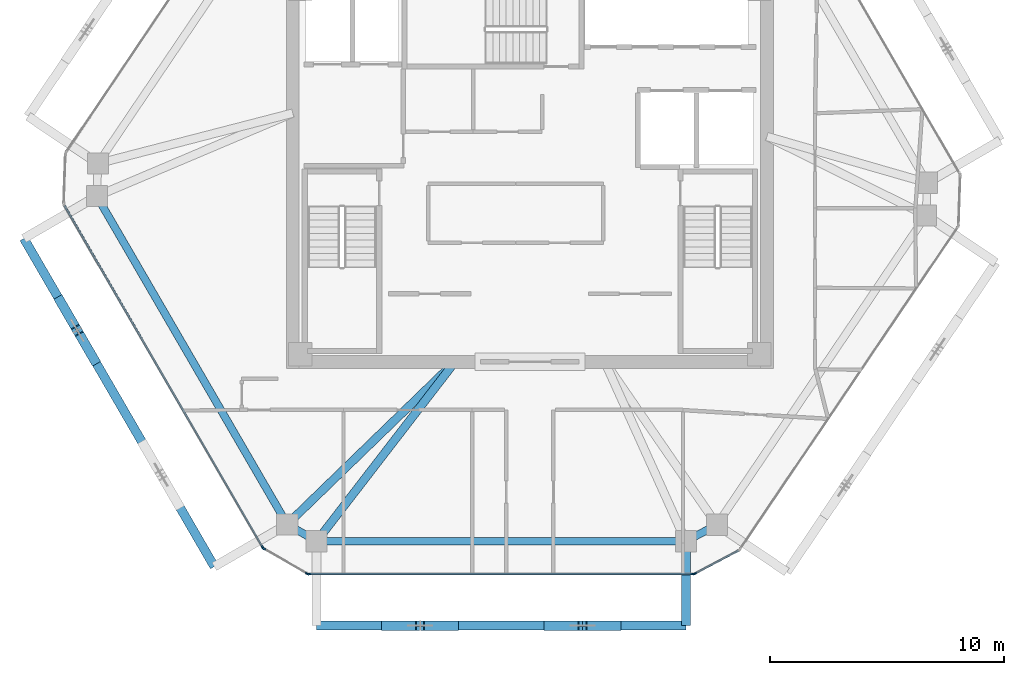
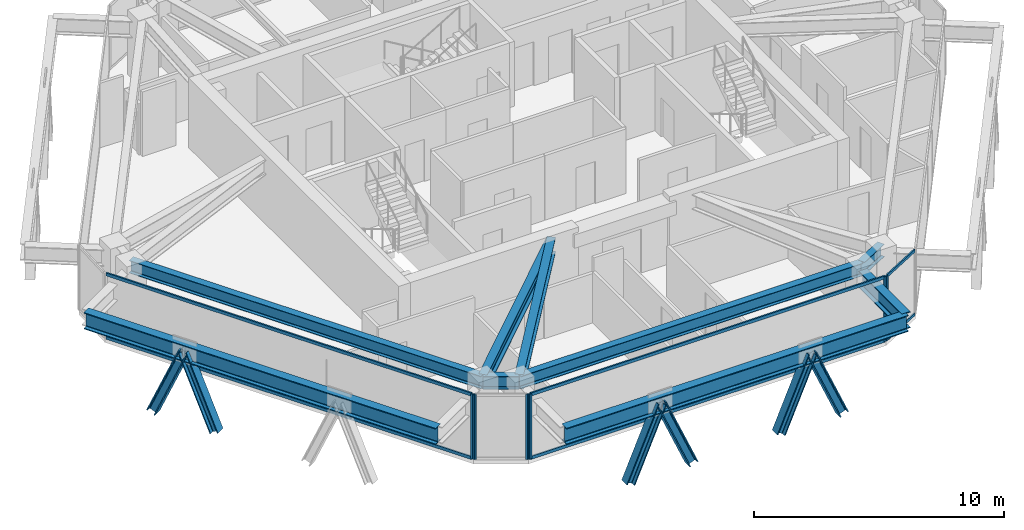
# One storey, part 2 of 13: 18 members, 9 beams, 4 elements without a shape of their own.
"""IFC4 building model written with IfcOpenShell, lengths in metres."""

from ifc_helpers import new_model, si_unit, direction, frame, origin, origin_2d, place, context, subcontext, project, spatial, rectangle, i_section, extrude, source, transform, mapped, material, layer, layer_set, material_profile, profile_set, type_object, type_shapes, element, aggregate, save


model = new_model("IFC4")

# Units and contexts
model_context = context("Model", 3, precision=1e-05, world=origin(), true_north=direction((0.0, 1.0)))
body_context = subcontext(model_context, "Body", "Model", "MODEL_VIEW")
ifc_project = project(units=[si_unit("LENGTHUNIT", "METRE"), si_unit("AREAUNIT", "SQUARE_METRE"), si_unit("VOLUMEUNIT", "CUBIC_METRE"), si_unit("PLANEANGLEUNIT", "RADIAN"), si_unit("MASSUNIT", "GRAM", prefix="KILO")], contexts=[model_context])

# Site, building, storey
site_placement = place(None, origin())
site = spatial("IfcSite", under=ifc_project, at=site_placement, CompositionType="ELEMENT")
building_placement = place(site_placement, origin())
building = spatial("IfcBuilding", under=site, at=building_placement, Name="Durnholm Broadcast Tower", CompositionType="ELEMENT")
storey_placement = place(building_placement, frame((0.0, 0.0, 254.699951171875)))
storey = spatial("IfcBuildingStorey", under=building, at=storey_placement, Name="L71", CompositionType="ELEMENT", Elevation=254.699951171875)

# Beams
ifc_material_1 = material(Name="Steel ASTM A992 Grade 50", Category="steel")
ifc_material_profile_1 = material_profile(ifc_material_1, i_section(OverallWidth=0.385009765625, OverallDepth=0.802978515625, WebThickness=0.023681640625, FlangeThickness=0.0419921875, FilletRadius=0.032958984375, at=origin_2d()), Name="W30X261")
ifc_profile_set_1 = profile_set([ifc_material_profile_1], Name="Steel ASTM A992 Grade 50")
beam_type_1 = type_object("IfcBeamType", Name="BM-EXO-TIE", PredefinedType="USERDEFINED", material=ifc_profile_set_1)
shared_shape_1 = source(origin(), body_context, "Body", "SweptSolid", [
    extrude(i_section(OverallWidth=0.385009765625, OverallDepth=0.802978515625, WebThickness=0.023681640625, FlangeThickness=0.0419921875, FilletRadius=0.032958984375, at=origin_2d()), origin(), (0.0, 0.0, 1.0), 3.4560546875),
])
beam_1_placement = place(storey_placement, frame((6.663818359375, -15.929931640625, 2.408447265625), z_axis=(0.0, -1.0, 0.0), x_axis=(1.0, 0.0, 0.0)))
element("IfcBeam", 1, at=beam_1_placement, inside=storey, type_object=beam_type_1, Name="L71 exoskeleton stand-off tie bracket F1.2", ObjectType="GIRDER", PredefinedType="USERDEFINED", context=body_context, shape_type="MappedRepresentation", body=[
    mapped(shared_shape_1, transform((0.0, 0.0, 0.0), x_axis=(1.0, 0.0, 0.0), y_axis=(0.0, 1.0, 0.0), z_axis=(0.0, 0.0, 1.0), scale=1.0)),
])
ifc_material_profile_2 = material_profile(ifc_material_1, i_section(OverallWidth=0.3251953125, OverallDepth=0.6162109375, WebThickness=0.013916015625, FlangeThickness=0.021484375, FilletRadius=0.02783203125, at=origin_2d()), Name="W24X117")
ifc_profile_set_2 = profile_set([ifc_material_profile_2], Name="Steel ASTM A992 Grade 50")
beam_type_2 = type_object("IfcBeamType", Name="STL-SP-W24X117", PredefinedType="SPANDREL", material=ifc_profile_set_2)
shared_shape_2 = source(origin(), body_context, "Body", "SweptSolid", [
    extrude(i_section(OverallWidth=0.3251953125, OverallDepth=0.6162109375, WebThickness=0.013916015625, FlangeThickness=0.021484375, FilletRadius=0.02783203125, at=origin_2d()), origin(), (0.0, 0.0, 1.0), 16.202880859375),
])
beam_2_placement = place(storey_placement, frame((-10.361328125, -15.061767578125, 2.8369140625), z_axis=(-0.501948303381, 0.864897624423, 0.0), x_axis=(-0.864897624423, -0.501948303381, 0.0)))
element("IfcBeam", 2, at=beam_2_placement, inside=storey, type_object=beam_type_2, Name="L71 perimeter spandrel girder 01", PredefinedType="SPANDREL", context=body_context, shape_type="MappedRepresentation", body=[
    mapped(shared_shape_2, transform((0.0, 0.0, 0.0), x_axis=(1.0, 0.0, 0.0), y_axis=(0.0, 1.0, 0.0), z_axis=(0.0, 0.0, 1.0), scale=1.0)),
])
shared_shape_3 = source(origin(), body_context, "Body", "SweptSolid", [
    extrude(i_section(OverallWidth=0.3251953125, OverallDepth=0.6162109375, WebThickness=0.013916015625, FlangeThickness=0.021484375, FilletRadius=0.02783203125, at=origin_2d()), origin(), (0.0, 0.0, 1.0), 1.502685546875),
])
beam_3_placement = place(storey_placement, frame((7.990966796875, -15.081298828125, 2.8369140625), z_axis=(-0.883241909673, -0.468917614296, 0.0), x_axis=(0.468917614296, -0.883241909673, 0.0)))
element("IfcBeam", 3, at=beam_3_placement, inside=storey, type_object=beam_type_2, Name="L71 perimeter spandrel girder 10", PredefinedType="SPANDREL", context=body_context, shape_type="MappedRepresentation", body=[
    mapped(shared_shape_3, transform((0.0, 0.0, 0.0), x_axis=(1.0, 0.0, 0.0), y_axis=(0.0, 1.0, 0.0), z_axis=(0.0, 0.0, 1.0), scale=1.0)),
])
shared_shape_4 = source(origin(), body_context, "Body", "SweptSolid", [
    extrude(i_section(OverallWidth=0.3251953125, OverallDepth=0.6162109375, WebThickness=0.013916015625, FlangeThickness=0.021484375, FilletRadius=0.02783203125, at=origin_2d()), origin(), (0.0, 0.0, 1.0), 15.767578125),
])
beam_4_placement = place(storey_placement, frame((6.663818359375, -15.785888671875, 2.8369140625), z_axis=(-1.0, 0.0, 0.0), x_axis=(0.0, -1.0, 0.0)))
element("IfcBeam", 4, at=beam_4_placement, inside=storey, type_object=beam_type_2, Name="L71 perimeter spandrel girder 11", PredefinedType="SPANDREL", context=body_context, shape_type="MappedRepresentation", body=[
    mapped(shared_shape_4, transform((0.0, 0.0, 0.0), x_axis=(1.0, 0.0, 0.0), y_axis=(0.0, 1.0, 0.0), z_axis=(0.0, 0.0, 1.0), scale=1.0)),
])
shared_shape_5 = source(origin(), body_context, "Body", "SweptSolid", [
    extrude(i_section(OverallWidth=0.3251953125, OverallDepth=0.6162109375, WebThickness=0.013916015625, FlangeThickness=0.021484375, FilletRadius=0.02783203125, at=origin_2d()), origin(), (0.0, 0.0, 1.0), 1.451171875),
])
type_shapes(beam_type_2, [shared_shape_2, shared_shape_3, shared_shape_4, shared_shape_5])
beam_5_placement = place(storey_placement, frame((-9.103759765625, -15.785888671875, 2.8369140625), z_axis=(-0.866602615509, 0.498998904601, 0.0), x_axis=(-0.498998904601, -0.866602615509, 0.0)))
element("IfcBeam", 5, at=beam_5_placement, inside=storey, type_object=beam_type_2, Name="L71 perimeter spandrel girder 12", PredefinedType="SPANDREL", context=body_context, shape_type="MappedRepresentation", body=[
    mapped(shared_shape_5, transform((0.0, 0.0, 0.0), x_axis=(1.0, 0.0, 0.0), y_axis=(0.0, 1.0, 0.0), z_axis=(0.0, 0.0, 1.0), scale=1.0)),
])
shared_shape_6 = source(origin(), body_context, "Body", "SweptSolid", [
    extrude(i_section(OverallWidth=0.385009765625, OverallDepth=0.802978515625, WebThickness=0.023681640625, FlangeThickness=0.0419921875, FilletRadius=0.032958984375, at=origin_2d()), origin(), (0.0, 0.0, 1.0), 15.767578125),
])
beam_6_placement = place(storey_placement, frame((-9.103759765625, -19.385986328125, 2.408447265625), z_axis=(1.0, 0.0, 0.0), x_axis=(0.0, 1.0, 0.0)))
element("IfcBeam", 6, at=beam_6_placement, inside=storey, type_object=beam_type_1, Name="L71 exoskeleton collector spandrel F1", PredefinedType="SPANDREL", context=body_context, shape_type="MappedRepresentation", body=[
    mapped(shared_shape_6, transform((0.0, 0.0, 0.0), x_axis=(1.0, 0.0, 0.0), y_axis=(0.0, 1.0, 0.0), z_axis=(0.0, 0.0, 1.0), scale=1.0)),
])
shared_shape_7 = source(origin(), body_context, "Body", "SweptSolid", [
    extrude(i_section(OverallWidth=0.385009765625, OverallDepth=0.802978515625, WebThickness=0.023681640625, FlangeThickness=0.0419921875, FilletRadius=0.032958984375, at=origin_2d()), origin(), (0.0, 0.0, 1.0), 16.20263671875),
])
type_shapes(beam_type_1, [shared_shape_1, shared_shape_6, shared_shape_7])
beam_7_placement = place(storey_placement, frame((-21.60791015625, -2.85498046875, 2.408447265625), z_axis=(0.501943573333, -0.864900369516, 0.0), x_axis=(0.864900369516, 0.501943573333, 0.0)))
element("IfcBeam", 7, at=beam_7_placement, inside=storey, type_object=beam_type_1, Name="L71 exoskeleton collector spandrel F6", PredefinedType="SPANDREL", context=body_context, shape_type="MappedRepresentation", body=[
    mapped(shared_shape_7, transform((0.0, 0.0, 0.0), x_axis=(1.0, 0.0, 0.0), y_axis=(0.0, 1.0, 0.0), z_axis=(0.0, 0.0, 1.0), scale=1.0)),
])
ifc_material_profile_3 = material_profile(ifc_material_1, i_section(OverallWidth=0.3564453125, OverallDepth=0.713623046875, WebThickness=0.01904296875, FlangeThickness=0.033935546875, FilletRadius=0.030517578125, at=origin_2d()), Name="W27X194")
ifc_profile_set_3 = profile_set([ifc_material_profile_3], Name="Steel ASTM A992 Grade 50")
beam_type_3 = type_object("IfcBeamType", Name="STL-GR-W27X194", PredefinedType="USERDEFINED", material=ifc_profile_set_3)
shared_shape_8 = source(origin(), body_context, "Body", "SweptSolid", [
    extrude(i_section(OverallWidth=0.3564453125, OverallDepth=0.713623046875, WebThickness=0.01904296875, FlangeThickness=0.033935546875, FilletRadius=0.030517578125, at=origin_2d()), origin(), (0.0, 0.0, 1.0), 9.97021484375),
])
beam_8_placement = place(storey_placement, frame((-3.199951171875, -8.125, 2.788330078125), z_axis=(-0.718281140352, -0.695752975857, 0.0), x_axis=(0.695752975857, -0.718281140352, 0.0)))
element("IfcBeam", 8, at=beam_8_placement, inside=storey, type_object=beam_type_3, Name="L71 radial primary floor girder 01", ObjectType="GIRDER", PredefinedType="USERDEFINED", context=body_context, shape_type="MappedRepresentation", body=[
    mapped(shared_shape_8, transform((0.0, 0.0, 0.0), x_axis=(1.0, 0.0, 0.0), y_axis=(0.0, 1.0, 0.0), z_axis=(0.0, 0.0, 1.0), scale=1.0)),
])
shared_shape_9 = source(origin(), body_context, "Body", "SweptSolid", [
    extrude(i_section(OverallWidth=0.3564453125, OverallDepth=0.713623046875, WebThickness=0.01904296875, FlangeThickness=0.033935546875, FilletRadius=0.030517578125, at=origin_2d()), origin(), (0.0, 0.0, 1.0), 9.671875),
])
type_shapes(beam_type_3, [shared_shape_8, shared_shape_9])
beam_9_placement = place(storey_placement, frame((-3.199951171875, -8.125, 2.788330078125), z_axis=(-0.610413181287, -0.792083169945, 0.0), x_axis=(0.792083169945, -0.610413181287, 0.0)))
element("IfcBeam", 9, at=beam_9_placement, inside=storey, type_object=beam_type_3, Name="L71 radial primary floor girder 12", ObjectType="GIRDER", PredefinedType="USERDEFINED", context=body_context, shape_type="MappedRepresentation", body=[
    mapped(shared_shape_9, transform((0.0, 0.0, 0.0), x_axis=(1.0, 0.0, 0.0), y_axis=(0.0, 1.0, 0.0), z_axis=(0.0, 0.0, 1.0), scale=1.0)),
])

# Members
ifc_material_2 = material(Name="Steel ASTM A913 Grade 65", Category="steel")
ifc_material_profile_4 = material_profile(ifc_material_2, i_section(OverallWidth=0.40625, OverallDepth=0.416015625, WebThickness=0.02978515625, FlangeThickness=0.048095703125, FilletRadius=0.030517578125, at=origin_2d()), Name="W14X257")
ifc_profile_set_4 = profile_set([ifc_material_profile_4], Name="Steel ASTM A913 Grade 65")
member_type_1 = type_object("IfcMemberType", Name="STL-DG-W14X257", PredefinedType="BRACE", material=ifc_profile_set_4)
shared_shape_10 = source(origin(), body_context, "Body", "SweptSolid", [
    extrude(i_section(OverallWidth=0.40625, OverallDepth=0.416015625, WebThickness=0.02978515625, FlangeThickness=0.048095703125, FilletRadius=0.030517578125, at=origin_2d()), origin(), (0.0, 0.0, 1.0), 3.699462890625),
])
type_shapes(member_type_1, [shared_shape_10])
for number, where, z_axis, x_axis, name in (
    (10, (-6.14697265625, -19.385986328125, -0.991455078125), (0.394182120618, 0.0, 0.919032347518), (0.0, 1.0, 0.0), "L71 stand-off diagrid brace F1.D1.1"),
    (11, (-3.230712890625, -19.385986328125, -0.991455078125), (-0.394126378567, 0.0, 0.919056253838), (0.0, -1.0, 0.0), "L71 stand-off diagrid brace F1.D1.2"),
    (12, (0.79052734375, -19.385986328125, -0.991455078125), (0.394182120618, 0.0, 0.919032347518), (0.0, 1.0, 0.0), "L71 stand-off diagrid brace F1.D2.1"),
    (13, (3.70703125, -19.385986328125, -0.991455078125), (-0.394182120618, 0.0, 0.919032347518), (0.0, -1.0, 0.0), "L71 stand-off diagrid brace F1.D2.2"),
    (14, (-20.0625, -5.517578125, -0.991455078125), (0.197787082808, -0.340930286883, 0.919046685082), (0.864978863669, 0.501808295473, 0.0), "L71 stand-off diagrid brace F6.D1.1"),
    (15, (-18.5986328125, -8.0400390625, -0.991455078125), (-0.197913904471, 0.340921383961, 0.919022685452), (-0.864833498681, -0.50205878098, 0.0), "L71 stand-off diagrid brace F6.D1.2"),
):
    element("IfcMember", number, at=place(storey_placement, frame(where, z_axis=z_axis, x_axis=x_axis)), inside=storey, type_object=member_type_1, Name=name, PredefinedType="BRACE", context=body_context, shape_type="MappedRepresentation", body=[
        mapped(shared_shape_10, transform((0.0, 0.0, 0.0), x_axis=(1.0, 0.0, 0.0), y_axis=(0.0, 1.0, 0.0), z_axis=(0.0, 0.0, 1.0), scale=1.0)),
    ])

# Curtain wall, members
ifc_material_3 = material(Name="Aluminium and Solar Control IGU", Category="aluminium")
ifc_layer_1 = layer(ifc_material_3, 0.1650390625)
ifc_layer_set_1 = layer_set([ifc_layer_1], Name="Aluminium and Solar Control IGU")
curtain_wall_type_1 = type_object("IfcCurtainWallType", Name="CW-SYS-5", PredefinedType="NOTDEFINED", material=ifc_layer_set_1)
curtain_wall_1_placement = place(storey_placement, origin())
curtain_wall_1 = element("IfcCurtainWall", 16, at=curtain_wall_1_placement, inside=storey, type_object=curtain_wall_type_1, Name="L71 curtain wall CW-CORNER CW-L71-CRN-09", PredefinedType="NOTDEFINED")
ifc_material_4 = material(Name="Aluminium 6063-T6", Category="aluminium")
ifc_material_profile_5 = material_profile(ifc_material_4, rectangle(XDim=0.06494140625, YDim=0.1298828125, at=origin_2d()), Name="CWT65X130")
ifc_profile_set_5 = profile_set([ifc_material_profile_5], Name="Aluminium 6063-T6")
member_type_2 = type_object("IfcMemberType", Name="CW-SYS-5-TRN", PredefinedType="USERDEFINED", material=ifc_profile_set_5)
shared_shape_11 = source(origin(), body_context, "Body", "SweptSolid", [
    extrude(rectangle(XDim=0.06494140625, YDim=0.1298828125, at=origin_2d()), origin(), (0.0, 0.0, 1.0), 2.070068359375),
])
type_shapes(member_type_2, [shared_shape_11])
member_1_placement = place(storey_placement, frame((8.89794921875, -16.1845703125, 0.032470703125), z_axis=(-0.883164581026, -0.469063239682, 0.0), x_axis=(0.469063239682, -0.883164581026, 0.0)))
member_1 = element("IfcMember", 17, at=member_1_placement, type_object=member_type_2, Name="CW-CORNER transom 1.1", ObjectType="TRANSOM", PredefinedType="USERDEFINED", context=body_context, shape_type="MappedRepresentation", body=[
    mapped(shared_shape_11, transform((0.0, 0.0, 0.0), x_axis=(1.0, 0.0, 0.0), y_axis=(0.0, 1.0, 0.0), z_axis=(0.0, 0.0, 1.0), scale=1.0)),
])
member_2_placement = place(storey_placement, frame((8.89794921875, -16.1845703125, 3.12744140625), z_axis=(-0.883164581026, -0.469063239682, 0.0), x_axis=(0.469063239682, -0.883164581026, 0.0)))
member_2 = element("IfcMember", 18, at=member_2_placement, type_object=member_type_2, Name="CW-CORNER transom 1.2", ObjectType="TRANSOM", PredefinedType="USERDEFINED", context=body_context, shape_type="MappedRepresentation", body=[
    mapped(shared_shape_11, transform((0.0, 0.0, 0.0), x_axis=(1.0, 0.0, 0.0), y_axis=(0.0, 1.0, 0.0), z_axis=(0.0, 0.0, 1.0), scale=1.0)),
])

ifc_layer_2 = layer(ifc_material_3, 0.18994140625)
ifc_layer_set_2 = layer_set([ifc_layer_2], Name="Aluminium and Solar Control IGU")
curtain_wall_type_2 = type_object("IfcCurtainWallType", Name="CW-SYS-4", PredefinedType="NOTDEFINED", material=ifc_layer_set_2)
curtain_wall_2_placement = place(storey_placement, origin())
curtain_wall_2 = element("IfcCurtainWall", 19, at=curtain_wall_2_placement, inside=storey, type_object=curtain_wall_type_2, Name="L71 curtain wall CW-Z34-VIS CW-L71-F10", PredefinedType="NOTDEFINED")
ifc_material_profile_6 = material_profile(ifc_material_4, rectangle(XDim=0.070068359375, YDim=0.14990234375, at=origin_2d()), Name="CWT70X150")
ifc_profile_set_6 = profile_set([ifc_material_profile_6], Name="Aluminium 6063-T6")
member_type_3 = type_object("IfcMemberType", Name="CW-SYS-4-TRN", PredefinedType="USERDEFINED", material=ifc_profile_set_6)
shared_shape_12 = source(origin(), body_context, "Body", "SweptSolid", [
    extrude(rectangle(XDim=0.070068359375, YDim=0.14990234375, at=origin_2d()), origin(), (0.0, 0.0, 1.0), 16.350341796875),
])
member_3_placement = place(storey_placement, frame((6.9423828125, -17.18603515625, 0.03515625), z_axis=(-1.0, 0.0, 0.0), x_axis=(0.0, -1.0, 0.0)))
member_3 = element("IfcMember", 20, at=member_3_placement, type_object=member_type_3, Name="CW-Z34-VIS transom 1.1", ObjectType="TRANSOM", PredefinedType="USERDEFINED", context=body_context, shape_type="MappedRepresentation", body=[
    mapped(shared_shape_12, transform((0.0, 0.0, 0.0), x_axis=(1.0, 0.0, 0.0), y_axis=(0.0, 1.0, 0.0), z_axis=(0.0, 0.0, 1.0), scale=1.0)),
])
member_4_placement = place(storey_placement, frame((6.9423828125, -17.18603515625, 3.125), z_axis=(-1.0, 0.0, 0.0), x_axis=(0.0, -1.0, 0.0)))
member_4 = element("IfcMember", 21, at=member_4_placement, type_object=member_type_3, Name="CW-Z34-VIS transom 1.2", ObjectType="TRANSOM", PredefinedType="USERDEFINED", context=body_context, shape_type="MappedRepresentation", body=[
    mapped(shared_shape_12, transform((0.0, 0.0, 0.0), x_axis=(1.0, 0.0, 0.0), y_axis=(0.0, 1.0, 0.0), z_axis=(0.0, 0.0, 1.0), scale=1.0)),
])

curtain_wall_3_placement = place(storey_placement, origin())
curtain_wall_3 = element("IfcCurtainWall", 22, at=curtain_wall_3_placement, inside=storey, type_object=curtain_wall_type_2, Name="L71 curtain wall CW-Z34-VIS CW-L71-F12", PredefinedType="NOTDEFINED")
shared_shape_13 = source(origin(), body_context, "Body", "SweptSolid", [
    extrude(rectangle(XDim=0.070068359375, YDim=0.14990234375, at=origin_2d()), origin(), (0.0, 0.0, 1.0), 16.83984375),
])
type_shapes(member_type_3, [shared_shape_12, shared_shape_13])
member_5_placement = place(storey_placement, frame((-11.41943359375, -16.027587890625, 0.03515625), z_axis=(-0.501945239029, 0.86489940283, 0.0), x_axis=(-0.86489940283, -0.501945239029, 0.0)))
member_5 = element("IfcMember", 23, at=member_5_placement, type_object=member_type_3, Name="CW-Z34-VIS transom 1.1", ObjectType="TRANSOM", PredefinedType="USERDEFINED", context=body_context, shape_type="MappedRepresentation", body=[
    mapped(shared_shape_13, transform((0.0, 0.0, 0.0), x_axis=(1.0, 0.0, 0.0), y_axis=(0.0, 1.0, 0.0), z_axis=(0.0, 0.0, 1.0), scale=1.0)),
])
member_6_placement = place(storey_placement, frame((-11.41943359375, -16.027587890625, 3.125), z_axis=(-0.501945239029, 0.86489940283, 0.0), x_axis=(-0.86489940283, -0.501945239029, 0.0)))
member_6 = element("IfcMember", 24, at=member_6_placement, type_object=member_type_3, Name="CW-Z34-VIS transom 1.2", ObjectType="TRANSOM", PredefinedType="USERDEFINED", context=body_context, shape_type="MappedRepresentation", body=[
    mapped(shared_shape_13, transform((0.0, 0.0, 0.0), x_axis=(1.0, 0.0, 0.0), y_axis=(0.0, 1.0, 0.0), z_axis=(0.0, 0.0, 1.0), scale=1.0)),
])

# Member
ifc_material_profile_7 = material_profile(ifc_material_4, rectangle(XDim=0.06494140625, YDim=0.1650390625, at=origin_2d()), Name="CWM65X165")
ifc_profile_set_7 = profile_set([ifc_material_profile_7], Name="Aluminium 6063-T6")
member_type_4 = type_object("IfcMemberType", Name="CW-SYS-5-MUL", PredefinedType="MULLION", material=ifc_profile_set_7)
shared_shape_14 = source(origin(), body_context, "Body", "SweptSolid", [
    extrude(rectangle(XDim=0.06494140625, YDim=0.1650390625, at=origin_2d()), origin(), (0.0, 0.0, 1.0), 3.16015625),
])
type_shapes(member_type_4, [shared_shape_14])
member_7_placement = place(storey_placement, frame((7.041015625, -17.170654296875, 0.0), z_axis=(0.0, 0.0, 1.0), x_axis=(0.469006771575, -0.883194569853, 0.0)))
member_7 = element("IfcMember", 25, at=member_7_placement, type_object=member_type_4, Name="CW-CORNER mullion 2", PredefinedType="MULLION", context=body_context, shape_type="MappedRepresentation", body=[
    mapped(shared_shape_14, transform((0.0, 0.0, 0.0), x_axis=(1.0, 0.0, 0.0), y_axis=(0.0, 1.0, 0.0), z_axis=(0.0, 0.0, 1.0), scale=1.0)),
])

aggregate(curtain_wall_1, [member_7, member_1, member_2])

# Curtain wall, members
curtain_wall_4_placement = place(storey_placement, origin())
curtain_wall_4 = element("IfcCurtainWall", 26, at=curtain_wall_4_placement, inside=storey, type_object=curtain_wall_type_1, Name="L71 curtain wall CW-CORNER CW-L71-CRN-11", PredefinedType="NOTDEFINED")
member_8_placement = place(storey_placement, frame((-9.506103515625, -17.169677734375, 0.0), z_axis=(0.0, 0.0, 1.0), x_axis=(-0.499058582333, -0.866568249707, 0.0)))
member_8 = element("IfcMember", 27, at=member_8_placement, type_object=member_type_4, Name="CW-CORNER mullion 1", PredefinedType="MULLION", context=body_context, shape_type="MappedRepresentation", body=[
    mapped(shared_shape_14, transform((0.0, 0.0, 0.0), x_axis=(1.0, 0.0, 0.0), y_axis=(0.0, 1.0, 0.0), z_axis=(0.0, 0.0, 1.0), scale=1.0)),
])
member_9_placement = place(storey_placement, frame((-11.356201171875, -16.104248046875, 0.0), z_axis=(0.0, 0.0, 1.0), x_axis=(-0.499058582333, -0.866568249707, 0.0)))
member_9 = element("IfcMember", 28, at=member_9_placement, type_object=member_type_4, Name="CW-CORNER mullion 2", PredefinedType="MULLION", context=body_context, shape_type="MappedRepresentation", body=[
    mapped(shared_shape_14, transform((0.0, 0.0, 0.0), x_axis=(1.0, 0.0, 0.0), y_axis=(0.0, 1.0, 0.0), z_axis=(0.0, 0.0, 1.0), scale=1.0)),
])
aggregate(curtain_wall_4, [member_8, member_9])

# Member
ifc_material_profile_8 = material_profile(ifc_material_4, rectangle(XDim=0.070068359375, YDim=0.18994140625, at=origin_2d()), Name="CWM70X190")
ifc_profile_set_8 = profile_set([ifc_material_profile_8], Name="Aluminium 6063-T6")
member_type_5 = type_object("IfcMemberType", Name="CW-SYS-4-MUL", PredefinedType="MULLION", material=ifc_profile_set_8)
shared_shape_15 = source(origin(), body_context, "Body", "SweptSolid", [
    extrude(rectangle(XDim=0.070068359375, YDim=0.18994140625, at=origin_2d()), origin(), (0.0, 0.0, 1.0), 3.16015625),
])
type_shapes(member_type_5, [shared_shape_15])
member_10_placement = place(storey_placement, frame((6.977294921875, -17.18603515625, 0.0), z_axis=(0.0, 0.0, 1.0), x_axis=(0.0, -1.0, 0.0)))
member_10 = element("IfcMember", 29, at=member_10_placement, type_object=member_type_5, Name="CW-Z34-VIS mullion 1", PredefinedType="MULLION", context=body_context, shape_type="MappedRepresentation", body=[
    mapped(shared_shape_15, transform((0.0, 0.0, 0.0), x_axis=(1.0, 0.0, 0.0), y_axis=(0.0, 1.0, 0.0), z_axis=(0.0, 0.0, 1.0), scale=1.0)),
])

member_11_placement = place(storey_placement, frame((-9.443115234375, -17.18603515625, 0.0), z_axis=(0.0, 0.0, 1.0), x_axis=(0.0, -1.0, 0.0)))
member_11 = element("IfcMember", 30, at=member_11_placement, type_object=member_type_5, Name="CW-Z34-VIS mullion 2", PredefinedType="MULLION", context=body_context, shape_type="MappedRepresentation", body=[
    mapped(shared_shape_15, transform((0.0, 0.0, 0.0), x_axis=(1.0, 0.0, 0.0), y_axis=(0.0, 1.0, 0.0), z_axis=(0.0, 0.0, 1.0), scale=1.0)),
])

aggregate(curtain_wall_2, [member_10, member_11, member_3, member_4])

member_12_placement = place(storey_placement, frame((-11.40185546875, -16.057861328125, 0.0), z_axis=(0.0, 0.0, 1.0), x_axis=(-0.864899883824, -0.50194441023, 0.0)))
member_12 = element("IfcMember", 31, at=member_12_placement, type_object=member_type_5, Name="CW-Z34-VIS mullion 1", PredefinedType="MULLION", context=body_context, shape_type="MappedRepresentation", body=[
    mapped(shared_shape_15, transform((0.0, 0.0, 0.0), x_axis=(1.0, 0.0, 0.0), y_axis=(0.0, 1.0, 0.0), z_axis=(0.0, 0.0, 1.0), scale=1.0)),
])

aggregate(curtain_wall_3, [member_12, member_5, member_6])

save(model, "model.ifc")
